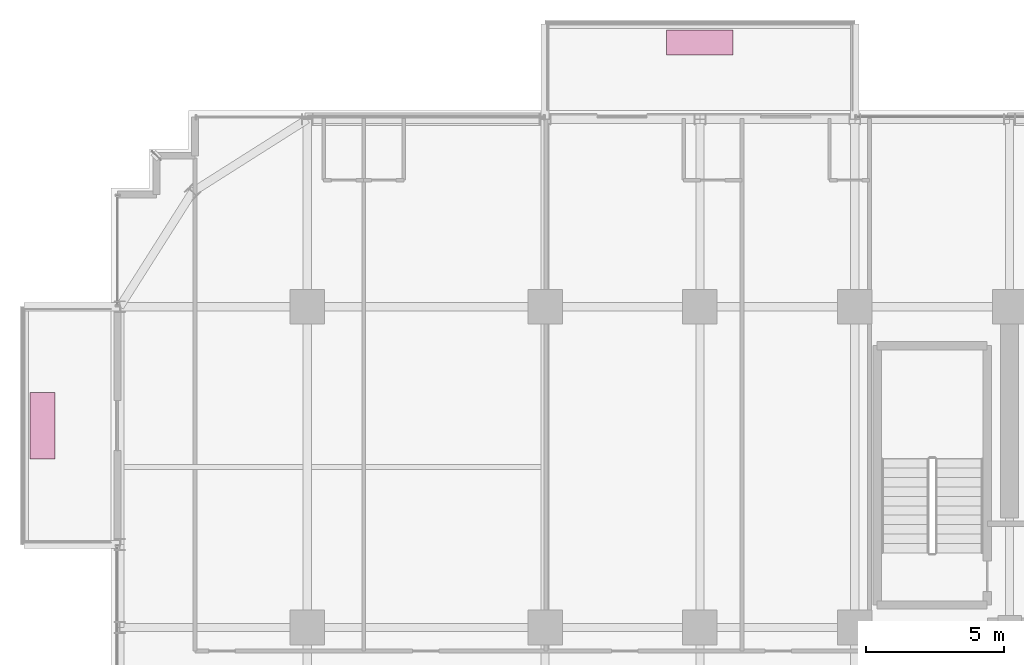
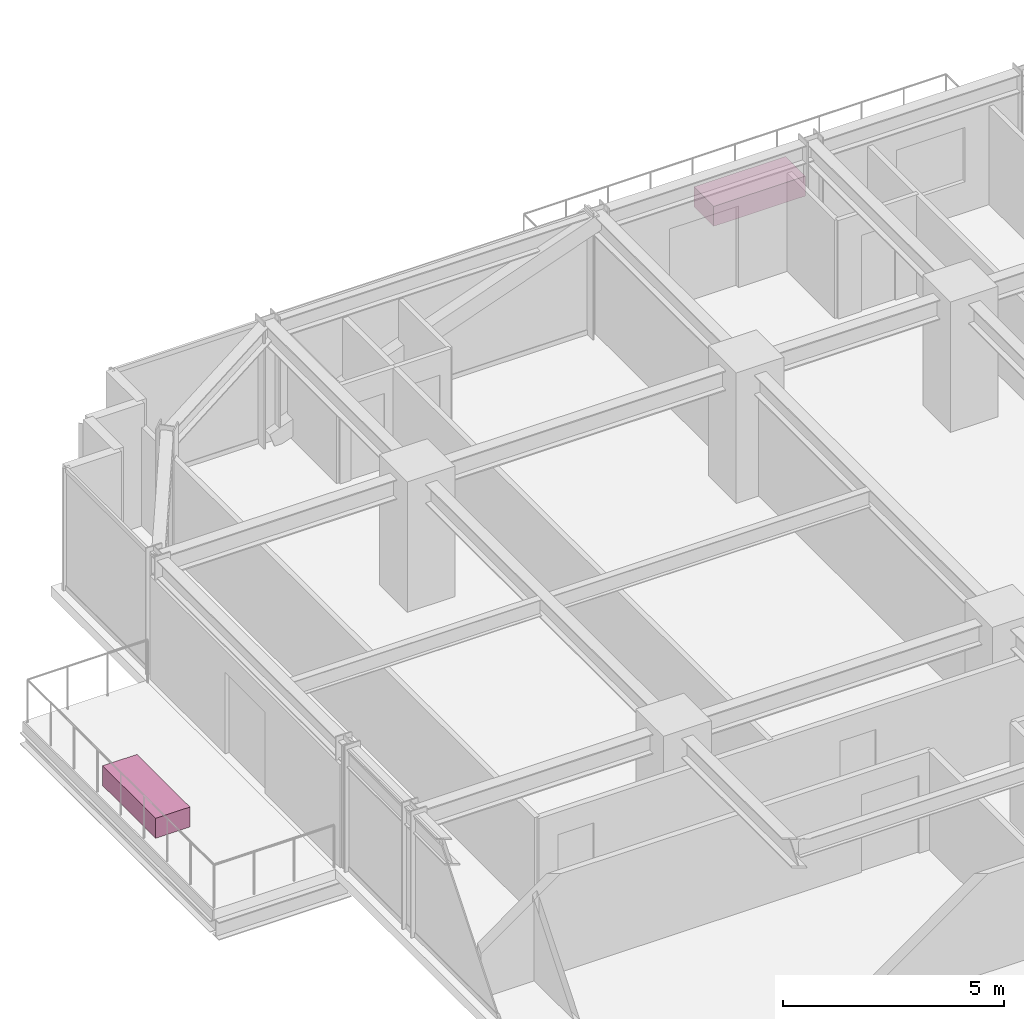
# One storey, part 39 of 39: 2 furnishings.
"""IFC4 building model written with IfcOpenShell, lengths in metres."""

from ifc_helpers import new_model, si_unit, direction, frame, origin, origin_2d, place, context, subcontext, project, spatial, rectangle, extrude, source, transform, mapped, material, type_object, element, save


model = new_model("IFC4")

# Units and contexts
model_context = context("Model", 3, precision=1e-05, world=origin(), true_north=direction((0.0, 1.0)))
body_context = subcontext(model_context, "Body", "Model", "MODEL_VIEW")
ifc_project = project(units=[si_unit("LENGTHUNIT", "METRE"), si_unit("AREAUNIT", "SQUARE_METRE"), si_unit("VOLUMEUNIT", "CUBIC_METRE"), si_unit("PLANEANGLEUNIT", "RADIAN"), si_unit("MASSUNIT", "GRAM", prefix="KILO")], contexts=[model_context])

# Site, building, storey
site_placement = place(None, origin())
site = spatial("IfcSite", under=ifc_project, at=site_placement, CompositionType="ELEMENT")
building_placement = place(site_placement, origin())
building = spatial("IfcBuilding", under=site, at=building_placement, Name="Nahalor Promenade Grand Hotel", CompositionType="ELEMENT")
storey_placement = place(building_placement, frame((0.0, 0.0, 135.75)))
storey = spatial("IfcBuildingStorey", under=building, at=storey_placement, Name="L34", CompositionType="ELEMENT", Elevation=135.75)

# Furnishings
ifc_material = material(Name="Vegetated Volcanic-Lapilli Tree Planter", Category="earth")
furnishing_element_type = type_object("IfcFurnishingElementType", Name="Planter-VerticalForest-Box", material=ifc_material)
shared_shape = source(origin(), body_context, "Body", "SweptSolid", [
    extrude(rectangle(XDim=2.39990234375, YDim=0.89990234375, at=origin_2d()), origin(), (0.0, 0.0, 1.0), 0.550048828125),
])
for number, where, z_axis, x_axis, name in (
    (1, (-2.800048828125, 26.550048828125, 0.0), (0.0, 0.0, 1.0), (1.0, 0.0, 0.0), "L34 Balcony Structural Tree Planter 1"),
    (2, (-26.570068359375, 12.699951171875, 0.0), (0.0, 0.0, 1.0), (0.0, 1.0, 0.0), "L34 Balcony Structural Tree Planter 2"),
):
    element("IfcFurnishingElement", number, at=place(storey_placement, frame(where, z_axis=z_axis, x_axis=x_axis)), inside=storey, type_object=furnishing_element_type, Name=name, ObjectType="PLANTER", context=body_context, shape_type="MappedRepresentation", body=[
        mapped(shared_shape, transform((0.0, 0.0, 0.0), scale=1.0)),
    ])

save(model, "model.ifc")
